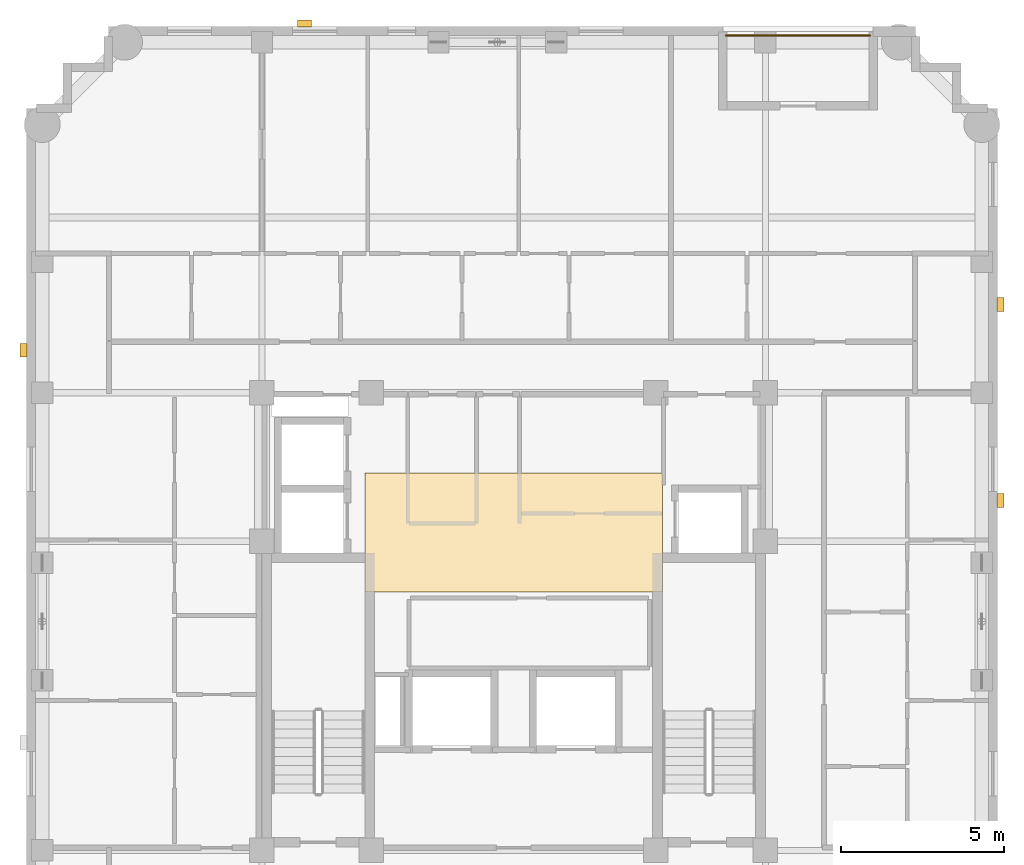
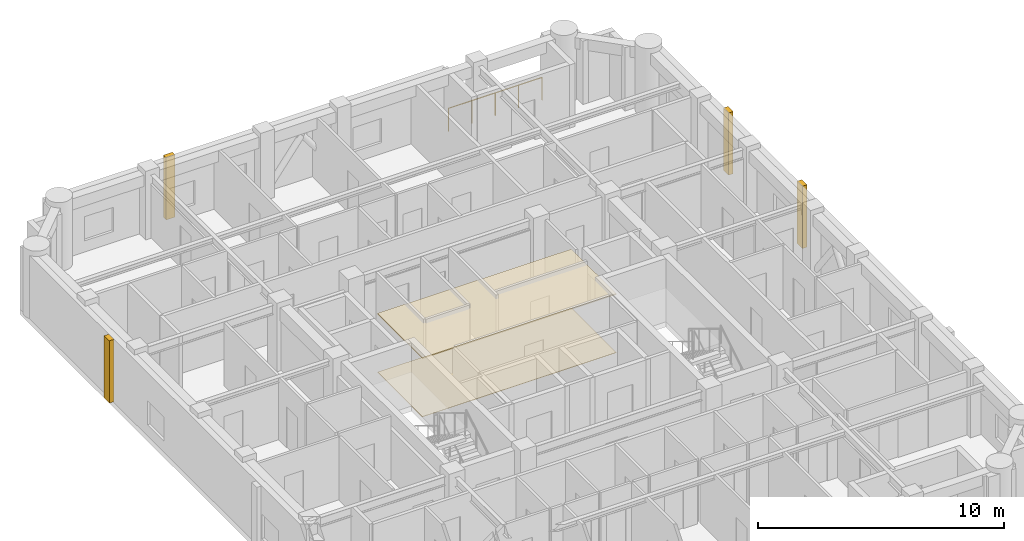
# One storey, part 11 of 11: 6 coverings, 1 railing.
"""IFC4 building model written with IfcOpenShell, lengths in metres."""

from ifc_helpers import new_model, si_unit, derived_unit, direction, frame, origin, origin_2d, place, context, subcontext, project, spatial, polyline, rectangle, circle, outline, extrude, material, layer, layer_set, type_object, element, save


model = new_model("IFC4")

# Units and contexts
model_context = context("Model", 3, precision=1e-05, world=origin(), true_north=direction((0.0, 1.0)))
body_context = subcontext(model_context, "Body", "Model", "MODEL_VIEW")
ifc_project = project(units=[si_unit("LENGTHUNIT", "METRE"), si_unit("AREAUNIT", "SQUARE_METRE"), si_unit("VOLUMEUNIT", "CUBIC_METRE"), si_unit("PLANEANGLEUNIT", "RADIAN"), si_unit("MASSUNIT", "GRAM", prefix="KILO"), derived_unit("THERMALTRANSMITTANCEUNIT", [(si_unit("MASSUNIT", "GRAM", prefix="KILO"), 1), (si_unit("TIMEUNIT", "SECOND"), -3), (si_unit("THERMODYNAMICTEMPERATUREUNIT", "KELVIN"), -1)])], contexts=[model_context])

# Site, building, storey
site_placement = place(None, origin())
site = spatial("IfcSite", under=ifc_project, at=site_placement, CompositionType="ELEMENT")
building_placement = place(site_placement, origin())
building = spatial("IfcBuilding", under=site, at=building_placement, Name="Korrvale Station Residences", CompositionType="ELEMENT")
storey_placement = place(building_placement, frame((0.0, 0.0, 227.5)))
storey = spatial("IfcBuildingStorey", under=building, at=storey_placement, Name="L66", CompositionType="ELEMENT", Elevation=227.5)

# Coverings
ifc_material_1 = material(Name="Perforated acoustic mineral-fibre suspended ceiling", Category="gypsum")
ifc_layer_1 = layer(ifc_material_1, 0.050048828125, Name="Perforated acoustic mineral-fibre suspended ceiling")
ifc_layer_set_1 = layer_set([ifc_layer_1], Name="Perforated acoustic mineral-fibre suspended ceiling")
covering_type_1 = type_object("IfcCoveringType", Name="COV-CLG-AC60", PredefinedType="CEILING", material=ifc_layer_set_1)
covering_1_placement = place(storey_placement, frame((0.0, 0.0, 2.889892578125)))
element("IfcCovering", 1, at=covering_1_placement, inside=storey, type_object=covering_type_1, Name="L66 Elevator Lobby Acoustic Ceiling", PredefinedType="CEILING", context=body_context, shape_type="SweptSolid", body=[
    extrude(outline(polyline([(20.949951171875, 22.89990234375), (30.050048828125, 22.89990234375), (30.050048828125, 26.550048828125), (20.949951171875, 26.550048828125), (20.949951171875, 22.89990234375)])), origin(), (0.0, 0.0, 1.0), 0.050048828125),
])
ifc_material_2 = material(Name="Polished quartz-terrazzo lobby flooring", Category="masonry")
ifc_layer_2 = layer(ifc_material_2, 0.02001953125, Name="Polished quartz-terrazzo lobby flooring")
ifc_layer_set_2 = layer_set([ifc_layer_2], Name="Polished quartz-terrazzo lobby flooring")
covering_type_2 = type_object("IfcCoveringType", Name="COV-FLR-TER20", PredefinedType="FLOORING", material=ifc_layer_set_2)
covering_2_placement = place(storey_placement, origin())
element("IfcCovering", 2, at=covering_2_placement, inside=storey, type_object=covering_type_2, Name="L66 Elevator Lobby Terrazzo Flooring", PredefinedType="FLOORING", context=body_context, shape_type="SweptSolid", body=[
    extrude(outline(polyline([(20.949951171875, 22.89990234375), (30.050048828125, 22.89990234375), (30.050048828125, 26.550048828125), (20.949951171875, 26.550048828125), (20.949951171875, 22.89990234375)])), origin(), (0.0, 0.0, 1.0), 0.02001953125),
])
ifc_material_3 = material(Name="Architectural precast concrete C45/55", Category="concrete")
ifc_layer_3 = layer(ifc_material_3, 0.219970703125, Name="Architectural precast concrete C45/55")
ifc_layer_set_3 = layer_set([ifc_layer_3], Name="Architectural precast concrete C45/55")
covering_type_3 = type_object("IfcCoveringType", Name="COV-PIER-400", PredefinedType="CLADDING", material=ifc_layer_set_3)
for number, where, z_axis, x_axis, name in (
    (3, (19.10009765625, 40.2900390625, 0.02490234375), (0.0, 0.0, 1.0), (1.0, 0.0, 0.0), "L66 Architectural Precast Facade Pier 01"),
    (4, (10.510009765625, 30.300048828125, 0.02490234375), (0.0, 0.0, 1.0), (0.0, 1.0, 0.0), "L66 Architectural Precast Facade Pier 04"),
    (5, (40.389892578125, 31.699951171875, 0.02490234375), (0.0, 0.0, 1.0), (0.0, 1.0, 0.0), "L66 Architectural Precast Facade Pier 05"),
    (6, (40.389892578125, 25.699951171875, 0.02490234375), (0.0, 0.0, 1.0), (0.0, 1.0, 0.0), "L66 Architectural Precast Facade Pier 06"),
):
    element("IfcCovering", number, at=place(storey_placement, frame(where, z_axis=z_axis, x_axis=x_axis)), inside=storey, type_object=covering_type_3, Name=name, PredefinedType="CLADDING", context=body_context, shape_type="SweptSolid", body=[
        extrude(rectangle(XDim=0.419921875, YDim=0.219970703125, at=origin_2d()), origin(), (0.0, 0.0, 1.0), 3.090087890625),
    ])

# Railing
ifc_material_4 = material(Name="Powder-coated aluminium picket loggia guard", Category="aluminium")
railing_type = type_object("IfcRailingType", Name="RLG-BAL-1150", PredefinedType="GUARDRAIL", material=ifc_material_4)
railing_placement = place(storey_placement, frame((32.0, 39.929931640625, 0.0)))
element("IfcRailing", 7, at=railing_placement, inside=storey, type_object=railing_type, Name="L66 Recessed Loggia Guardrail BAL-L66-N1", PredefinedType="GUARDRAIL", context=body_context, shape_type="SweptSolid", body=[
    extrude(circle(Radius=0.02392578125, at=origin_2d()), frame((0.0, 0.0, 1.1259765625), z_axis=(1.0, 0.0, 0.0), x_axis=(0.0, 1.0, 0.0)), (0.0, 0.0, 1.0), 4.39990234375),
    extrude(circle(Radius=0.02099609375, at=origin_2d()), origin(), (0.0, 0.0, 1.0), 1.101806640625),
    extrude(circle(Radius=0.02099609375, at=origin_2d()), frame((1.10009765625, 0.0, 0.0)), (0.0, 0.0, 1.0), 1.101806640625),
    extrude(circle(Radius=0.02099609375, at=origin_2d()), frame((2.199951171875, 0.0, 0.0)), (0.0, 0.0, 1.0), 1.101806640625),
    extrude(circle(Radius=0.02099609375, at=origin_2d()), frame((3.2998046875, 0.0, 0.0)), (0.0, 0.0, 1.0), 1.101806640625),
    extrude(circle(Radius=0.02099609375, at=origin_2d()), frame((4.39990234375, 0.0, 0.0)), (0.0, 0.0, 1.0), 1.101806640625),
])

save(model, "model.ifc")
